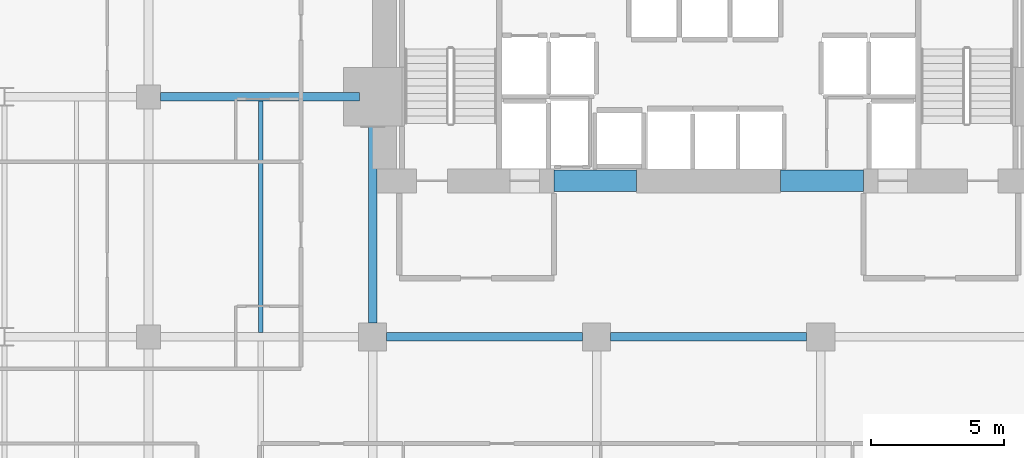
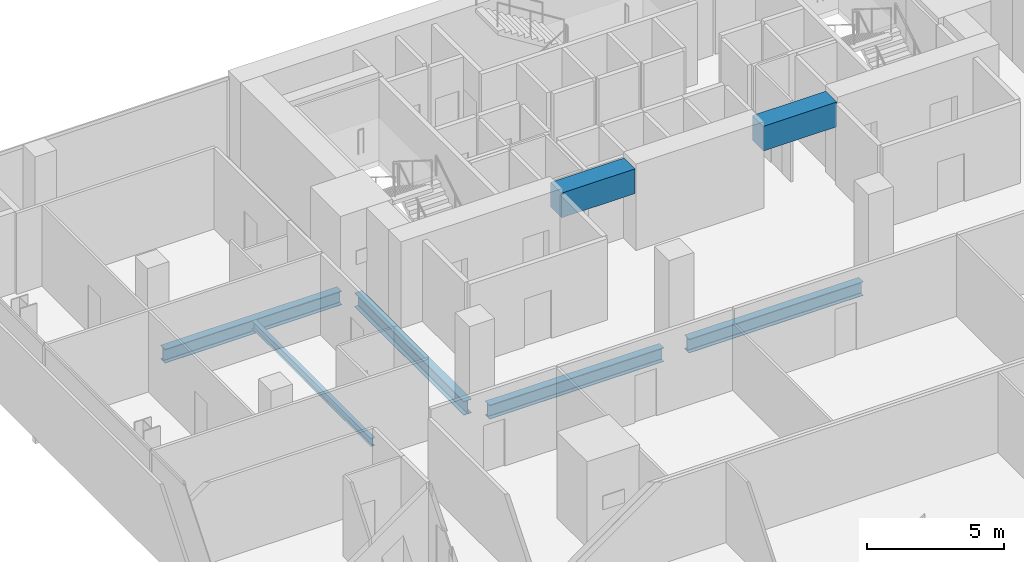
# One storey, part 24 of 40: 7 beams.
"""IFC4 building model written with IfcOpenShell, lengths in metres."""

from ifc_helpers import new_model, si_unit, direction, frame, origin, origin_2d, place, context, subcontext, project, spatial, rectangle, i_section, extrude, material, material_profile, profile_set, type_object, element, save


model = new_model("IFC4")

# Units and contexts
model_context = context("Model", 3, precision=1e-05, world=origin(), true_north=direction((0.0, 1.0)))
body_context = subcontext(model_context, "Body", "Model", "MODEL_VIEW")
ifc_project = project(units=[si_unit("LENGTHUNIT", "METRE"), si_unit("AREAUNIT", "SQUARE_METRE"), si_unit("VOLUMEUNIT", "CUBIC_METRE"), si_unit("PLANEANGLEUNIT", "RADIAN"), si_unit("MASSUNIT", "GRAM", prefix="KILO")], contexts=[model_context])

# Site, building, storey
site_placement = place(None, origin())
site = spatial("IfcSite", under=ifc_project, at=site_placement, CompositionType="ELEMENT")
building_placement = place(site_placement, origin())
building = spatial("IfcBuilding", under=site, at=building_placement, Name="Maruvema Waterfront Hotel and Observation Tower", CompositionType="ELEMENT")
storey_placement = place(building_placement, frame((0.0, 0.0, 57.75)))
storey = spatial("IfcBuildingStorey", under=building, at=storey_placement, Name="L13", CompositionType="ELEMENT", Elevation=57.75)

# Beams
ifc_material_1 = material(Name="Concrete C60/75", Category="concrete")
ifc_material_profile_1 = material_profile(ifc_material_1, rectangle(XDim=0.800048828125, YDim=1.10009765625, at=origin_2d()), Name="CB800x1100")
ifc_profile_set_1 = profile_set([ifc_material_profile_1], Name="Concrete C60/75")
beam_type_1 = type_object("IfcBeamType", Name="Core Coupling Lintel Beam CB800x1100", PredefinedType="LINTEL", material=ifc_profile_set_1)
for number, where, z_axis, x_axis, name in (
    (1, (32.0, 41.85009765625, 3.06005859375), (1.0, 0.0, 0.0), (0.0, 1.0, 0.0), "L13 Core Coupling Lintel Beam West"),
    (2, (40.5, 41.85009765625, 3.06005859375), (1.0, 0.0, 0.0), (0.0, 1.0, 0.0), "L13 Core Coupling Lintel Beam East"),
):
    element("IfcBeam", number, at=place(storey_placement, frame(where, z_axis=z_axis, x_axis=x_axis)), inside=storey, type_object=beam_type_1, Name=name, PredefinedType="LINTEL", context=body_context, shape_type="SweptSolid", body=[
        extrude(rectangle(XDim=0.800048828125, YDim=1.10009765625, at=origin_2d()), origin(), (0.0, 0.0, 1.0), 3.10009765625),
    ])
ifc_material_2 = material(Name="Steel ASTM A572 Grade 50", Category="steel")
ifc_material_profile_2 = material_profile(ifc_material_2, i_section(OverallWidth=0.326904296875, OverallDepth=0.6220703125, WebThickness=0.015380859375, FlangeThickness=0.0244140625, FilletRadius=0.01806640625, at=origin_2d()), Name="W610x195.0")
ifc_profile_set_2 = profile_set([ifc_material_profile_2], Name="Steel ASTM A572 Grade 50")
beam_type_2 = type_object("IfcBeamType", Name="Primary Floor Girder W610x195.0", PredefinedType="BEAM", material=ifc_profile_set_2)
beam_1_placement = place(storey_placement, frame((25.72509765625, 36.0, -0.551025390625), z_axis=(1.0, 0.0, 0.0), x_axis=(0.0, 1.0, 0.0)))
element("IfcBeam", 3, at=beam_1_placement, inside=storey, type_object=beam_type_2, Name="L13 Floor Girder EW-27", PredefinedType="BEAM", context=body_context, shape_type="SweptSolid", body=[
    extrude(i_section(OverallWidth=0.326904296875, OverallDepth=0.6220703125, WebThickness=0.015380859375, FlangeThickness=0.0244140625, FilletRadius=0.01806640625, at=origin_2d()), origin(), (0.0, 0.0, 1.0), 7.349853515625),
])
beam_2_placement = place(storey_placement, frame((34.125, 36.0, -0.551025390625), z_axis=(1.0, 0.0, 0.0), x_axis=(0.0, 1.0, 0.0)))
element("IfcBeam", 4, at=beam_2_placement, inside=storey, type_object=beam_type_2, Name="L13 Floor Girder EW-28", PredefinedType="BEAM", context=body_context, shape_type="SweptSolid", body=[
    extrude(i_section(OverallWidth=0.326904296875, OverallDepth=0.6220703125, WebThickness=0.015380859375, FlangeThickness=0.0244140625, FilletRadius=0.01806640625, at=origin_2d()), origin(), (0.0, 0.0, 1.0), 7.35009765625),
])
beam_3_placement = place(storey_placement, frame((17.25, 45.0, -0.551025390625), z_axis=(1.0, 0.0, 0.0), x_axis=(0.0, 1.0, 0.0)))
element("IfcBeam", 5, at=beam_3_placement, inside=storey, type_object=beam_type_2, Name="L13 Floor Girder EW-33", PredefinedType="BEAM", context=body_context, shape_type="SweptSolid", body=[
    extrude(i_section(OverallWidth=0.326904296875, OverallDepth=0.6220703125, WebThickness=0.015380859375, FlangeThickness=0.0244140625, FilletRadius=0.01806640625, at=origin_2d()), origin(), (0.0, 0.0, 1.0), 7.449951171875),
])
beam_4_placement = place(storey_placement, frame((25.199951171875, 36.52490234375, -0.551025390625), z_axis=(0.0, 1.0, 0.0), x_axis=(-1.0, 0.0, 0.0)))
element("IfcBeam", 6, at=beam_4_placement, inside=storey, type_object=beam_type_2, Name="L13 Floor Girder NS-15", PredefinedType="BEAM", context=body_context, shape_type="SweptSolid", body=[
    extrude(i_section(OverallWidth=0.326904296875, OverallDepth=0.6220703125, WebThickness=0.015380859375, FlangeThickness=0.0244140625, FilletRadius=0.01806640625, at=origin_2d()), origin(), (0.0, 0.0, 1.0), 7.97509765625),
])
ifc_material_3 = material(Name="Steel ASTM A572 Grade 50", Category="steel")
ifc_material_profile_3 = material_profile(ifc_material_3, i_section(OverallWidth=0.1708984375, OverallDepth=0.35498046875, WebThickness=0.007080078125, FlangeThickness=0.01171875, FilletRadius=0.014892578125, at=origin_2d()), Name="W360x51.0")
ifc_profile_set_3 = profile_set([ifc_material_profile_3], Name="Steel ASTM A572 Grade 50")
beam_type_3 = type_object("IfcBeamType", Name="Secondary Floor Joist W360x51.0", PredefinedType="JOIST", material=ifc_profile_set_3)
beam_5_placement = place(storey_placement, frame((21.0, 36.16357421875, -0.41748046875), z_axis=(0.0, 1.0, 0.0), x_axis=(-1.0, 0.0, 0.0)))
element("IfcBeam", 7, at=beam_5_placement, inside=storey, type_object=beam_type_3, Name="L13 Secondary Floor Joist JS-09", PredefinedType="JOIST", context=body_context, shape_type="SweptSolid", body=[
    extrude(i_section(OverallWidth=0.1708984375, OverallDepth=0.35498046875, WebThickness=0.007080078125, FlangeThickness=0.01171875, FilletRadius=0.014892578125, at=origin_2d()), origin(), (0.0, 0.0, 1.0), 8.6728515625),
])

save(model, "model.ifc")
